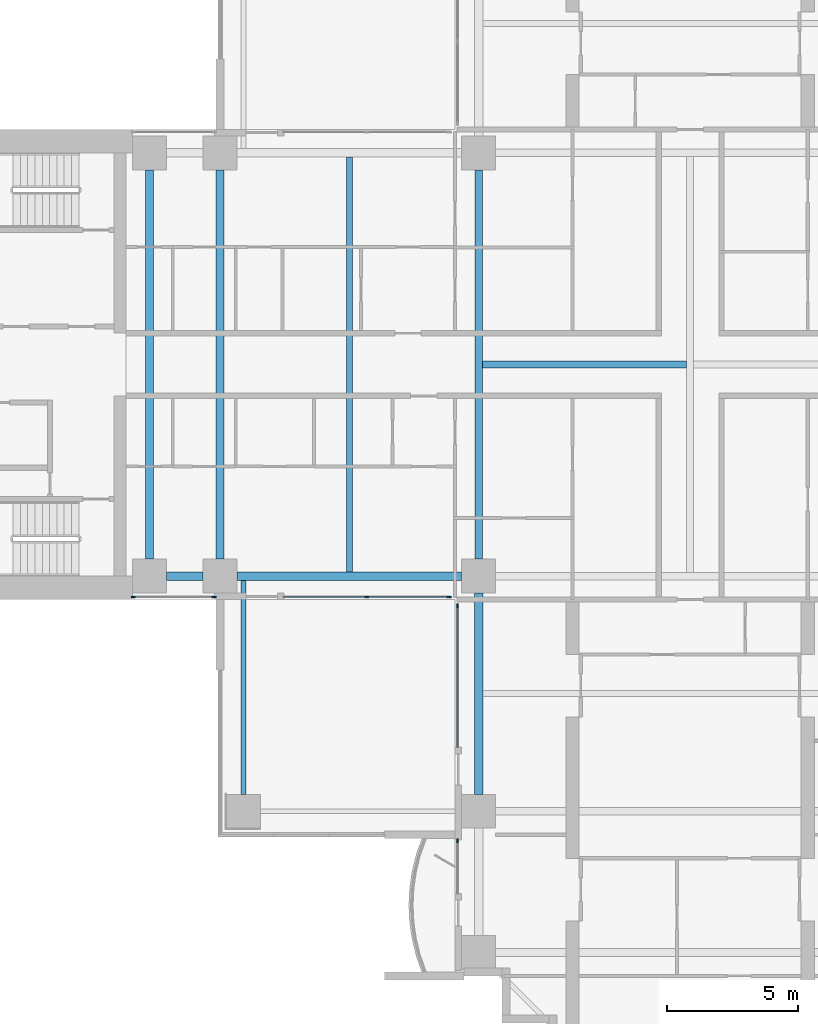
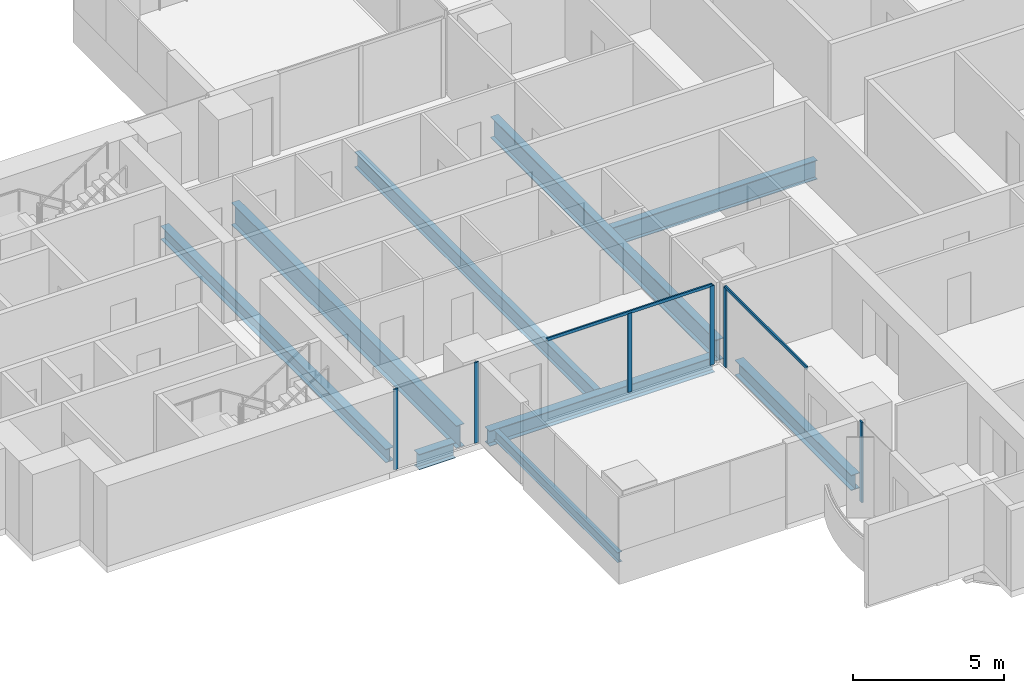
# One storey, part 2 of 20: 9 beams, 8 members, 4 elements without a shape of their own.
"""IFC4 building model written with IfcOpenShell, lengths in metres."""

from ifc_helpers import new_model, si_unit, direction, frame, origin, origin_2d, place, context, subcontext, project, spatial, rectangle, i_section, extrude, material, material_profile, profile_set, type_object, element, aggregate, save


model = new_model("IFC4")

# Units and contexts
model_context = context("Model", 3, precision=1e-05, world=origin(), true_north=direction((0.0, 1.0)))
body_context = subcontext(model_context, "Body", "Model", "MODEL_VIEW")
ifc_project = project(units=[si_unit("LENGTHUNIT", "METRE"), si_unit("AREAUNIT", "SQUARE_METRE"), si_unit("VOLUMEUNIT", "CUBIC_METRE"), si_unit("PLANEANGLEUNIT", "RADIAN"), si_unit("MASSUNIT", "GRAM", prefix="KILO")], contexts=[model_context])

# Site, building, storey
site_placement = place(None, origin())
site = spatial("IfcSite", under=ifc_project, at=site_placement, CompositionType="ELEMENT")
building_placement = place(site_placement, origin())
building = spatial("IfcBuilding", under=site, at=building_placement, Name="Perihelion Cross Residences", CompositionType="ELEMENT")
storey_placement = place(building_placement, frame((0.0, 0.0, 68.0)))
storey = spatial("IfcBuildingStorey", under=building, at=storey_placement, Name="L14", CompositionType="ELEMENT", Elevation=68.0)

# Curtain wall, members
ifc_material_1 = material(Name="Bronze anodised aluminium, tinted glazing", Category="aluminium")
curtain_wall_type = type_object("IfcCurtainWallType", Name="CW1", PredefinedType="NOTDEFINED", material=ifc_material_1)
curtain_wall_1_placement = place(storey_placement, origin())
curtain_wall_1 = element("IfcCurtainWall", 1, at=curtain_wall_1_placement, inside=storey, type_object=curtain_wall_type, Name="Curtain wall CW1 L14 west side south bay 1", PredefinedType="NOTDEFINED")
ifc_material_2 = material(Name="Bronze anodised aluminium", Category="aluminium")
ifc_material_profile_1 = material_profile(ifc_material_2, rectangle(XDim=0.06005859375, YDim=0.159912109375, at=origin_2d()), Name="CW1 mullion")
ifc_profile_set_1 = profile_set([ifc_material_profile_1], Name="Bronze anodised aluminium")
member_type_1 = type_object("IfcMemberType", Name="CW1 mullion", PredefinedType="MULLION", material=ifc_profile_set_1)
member_1_placement = place(storey_placement, frame((-21.320068359375, -8.89990234375, 0.0), z_axis=(0.0, 0.0, 1.0), x_axis=(0.0, 1.0, 0.0)))
member_1 = element("IfcMember", 2, at=member_1_placement, type_object=member_type_1, Name="CW1 mullion 1", PredefinedType="MULLION", context=body_context, shape_type="SweptSolid", body=[
    extrude(rectangle(XDim=0.06005859375, YDim=0.159912109375, at=origin_2d()), origin(), (0.0, 0.0, 1.0), 3.25),
])
member_2_placement = place(storey_placement, frame((-18.22998046875, -8.89990234375, 0.0), z_axis=(0.0, 0.0, 1.0), x_axis=(0.0, 1.0, 0.0)))
member_2 = element("IfcMember", 3, at=member_2_placement, type_object=member_type_1, Name="CW1 mullion 2", PredefinedType="MULLION", context=body_context, shape_type="SweptSolid", body=[
    extrude(rectangle(XDim=0.06005859375, YDim=0.159912109375, at=origin_2d()), origin(), (0.0, 0.0, 1.0), 3.25),
])
aggregate(curtain_wall_1, [member_1, member_2])

curtain_wall_2_placement = place(storey_placement, origin())
curtain_wall_2 = element("IfcCurtainWall", 4, at=curtain_wall_2_placement, inside=storey, type_object=curtain_wall_type, Name="Curtain wall CW1 L14 west side south bay 2", PredefinedType="NOTDEFINED")
member_3_placement = place(storey_placement, frame((-12.375, -8.89990234375, 0.0), z_axis=(0.0, 0.0, 1.0), x_axis=(0.0, 1.0, 0.0)))
member_3 = element("IfcMember", 5, at=member_3_placement, type_object=member_type_1, Name="CW1 mullion 2", PredefinedType="MULLION", context=body_context, shape_type="SweptSolid", body=[
    extrude(rectangle(XDim=0.06005859375, YDim=0.159912109375, at=origin_2d()), origin(), (0.0, 0.0, 1.0), 3.18994140625),
])
member_4_placement = place(storey_placement, frame((-9.22998046875, -8.89990234375, 0.0), z_axis=(0.0, 0.0, 1.0), x_axis=(0.0, 1.0, 0.0)))
member_4 = element("IfcMember", 6, at=member_4_placement, type_object=member_type_1, Name="CW1 mullion 3", PredefinedType="MULLION", context=body_context, shape_type="SweptSolid", body=[
    extrude(rectangle(XDim=0.06005859375, YDim=0.159912109375, at=origin_2d()), origin(), (0.0, 0.0, 1.0), 3.18994140625),
])

# Curtain wall, member
curtain_wall_3_placement = place(storey_placement, origin())
curtain_wall_3 = element("IfcCurtainWall", 7, at=curtain_wall_3_placement, inside=storey, type_object=curtain_wall_type, Name="Curtain wall CW1 L14 south side west bay 1", PredefinedType="NOTDEFINED")
member_5_placement = place(storey_placement, frame((-8.89990234375, -9.22998046875, 0.0), z_axis=(0.0, 0.0, 1.0), x_axis=(1.0, 0.0, 0.0)))
member_5 = element("IfcMember", 8, at=member_5_placement, type_object=member_type_1, Name="CW1 mullion 1", PredefinedType="MULLION", context=body_context, shape_type="SweptSolid", body=[
    extrude(rectangle(XDim=0.06005859375, YDim=0.159912109375, at=origin_2d()), origin(), (0.0, 0.0, 1.0), 3.18994140625),
])

curtain_wall_4_placement = place(storey_placement, origin())
curtain_wall_4 = element("IfcCurtainWall", 9, at=curtain_wall_4_placement, inside=storey, type_object=curtain_wall_type, Name="Curtain wall CW1 L14 south side west bay 2", PredefinedType="NOTDEFINED")
member_6_placement = place(storey_placement, frame((-8.89990234375, -18.22998046875, 0.0), z_axis=(0.0, 0.0, 1.0), x_axis=(1.0, 0.0, 0.0)))
member_6 = element("IfcMember", 10, at=member_6_placement, type_object=member_type_1, Name="CW1 mullion 1", PredefinedType="MULLION", context=body_context, shape_type="SweptSolid", body=[
    extrude(rectangle(XDim=0.06005859375, YDim=0.159912109375, at=origin_2d()), origin(), (0.0, 0.0, 1.0), 3.25),
])
aggregate(curtain_wall_4, [member_6])

# Member
ifc_material_3 = material(Name="Bronze anodised aluminium", Category="aluminium")
ifc_material_profile_2 = material_profile(ifc_material_3, rectangle(XDim=0.06005859375, YDim=0.1201171875, at=origin_2d()), Name="CW1 transom")
ifc_profile_set_2 = profile_set([ifc_material_profile_2], Name="Bronze anodised aluminium")
member_type_2 = type_object("IfcMemberType", Name="CW1 transom", PredefinedType="USERDEFINED", material=ifc_profile_set_2)
member_7_placement = place(storey_placement, frame((-15.550048828125, -8.89990234375, 3.219970703125), z_axis=(1.0, 0.0, 0.0), x_axis=(0.0, 1.0, 0.0)))
member_7 = element("IfcMember", 11, at=member_7_placement, type_object=member_type_2, Name="CW1 head transom", ObjectType="TRANSOM", PredefinedType="USERDEFINED", context=body_context, shape_type="SweptSolid", body=[
    extrude(rectangle(XDim=0.06005859375, YDim=0.1201171875, at=origin_2d()), origin(), (0.0, 0.0, 1.0), 6.320068359375),
])

aggregate(curtain_wall_2, [member_3, member_4, member_7])

member_8_placement = place(storey_placement, frame((-8.89990234375, -9.22998046875, 3.219970703125), z_axis=(0.0, -1.0, 0.0), x_axis=(1.0, 0.0, 0.0)))
member_8 = element("IfcMember", 12, at=member_8_placement, type_object=member_type_2, Name="CW1 head transom", ObjectType="TRANSOM", PredefinedType="USERDEFINED", context=body_context, shape_type="SweptSolid", body=[
    extrude(rectangle(XDim=0.06005859375, YDim=0.1201171875, at=origin_2d()), origin(), (0.0, 0.0, 1.0), 5.419921875),
])

aggregate(curtain_wall_3, [member_5, member_8])

# Beams
ifc_material_4 = material(Name="Steel S355", Category="steel")
ifc_material_profile_3 = material_profile(ifc_material_4, i_section(OverallWidth=0.177978515625, OverallDepth=0.406005859375, WebThickness=0.0078125, FlangeThickness=0.0126953125, at=origin_2d()), Name="W410x60")
ifc_profile_set_3 = profile_set([ifc_material_profile_3], Name="Steel S355")
beam_type_1 = type_object("IfcBeamType", Name="Core edge beam W410x60", PredefinedType="BEAM", material=ifc_profile_set_3)
beam_1_placement = place(storey_placement, frame((-17.10009765625, -8.262451171875, -0.452880859375), z_axis=(0.0, -1.0, 0.0), x_axis=(1.0, 0.0, 0.0)))
element("IfcBeam", 13, at=beam_1_placement, inside=storey, type_object=beam_type_1, Name="Core edge beam TB2 L14 corner no. 1", PredefinedType="BEAM", context=body_context, shape_type="SweptSolid", body=[
    extrude(i_section(OverallWidth=0.177978515625, OverallDepth=0.406005859375, WebThickness=0.0078125, FlangeThickness=0.0126953125, at=origin_2d()), origin(), (0.0, 0.0, 1.0), 8.1875),
])
ifc_material_5 = material(Name="Steel S355", Category="steel")
ifc_material_profile_4 = material_profile(ifc_material_5, i_section(OverallWidth=0.31201171875, OverallDepth=0.5439453125, WebThickness=0.0126953125, FlangeThickness=0.020263671875, at=origin_2d()), Name="W530x150")
ifc_profile_set_4 = profile_set([ifc_material_profile_4], Name="Steel S355")
beam_type_2 = type_object("IfcBeamType", Name="Core edge beam W530x150", PredefinedType="BEAM", material=ifc_profile_set_4)
beam_2_placement = place(storey_placement, frame((-20.699951171875, -7.449951171875, -0.52197265625), z_axis=(0.0, 1.0, 0.0), x_axis=(-1.0, 0.0, 0.0)))
element("IfcBeam", 14, at=beam_2_placement, inside=storey, type_object=beam_type_2, Name="Core edge beam TB4 L14 no. 1", PredefinedType="BEAM", context=body_context, shape_type="SweptSolid", body=[
    extrude(i_section(OverallWidth=0.31201171875, OverallDepth=0.5439453125, WebThickness=0.0126953125, FlangeThickness=0.020263671875, at=origin_2d()), origin(), (0.0, 0.0, 1.0), 14.89990234375),
])
ifc_material_6 = material(Name="Steel S355", Category="steel")
ifc_material_profile_5 = material_profile(ifc_material_6, i_section(OverallWidth=0.324951171875, OverallDepth=0.616943359375, WebThickness=0.013916015625, FlangeThickness=0.021484375, at=origin_2d()), Name="W610x174")
ifc_profile_set_5 = profile_set([ifc_material_profile_5], Name="Steel S355")
beam_type_3 = type_object("IfcBeamType", Name="Edge beam W610x174", PredefinedType="SPANDREL", material=ifc_profile_set_5)
beam_3_placement = place(storey_placement, frame((-20.050048828125, -8.10009765625, -0.55859375), z_axis=(1.0, 0.0, 0.0), x_axis=(0.0, 1.0, 0.0)))
element("IfcBeam", 15, at=beam_3_placement, inside=storey, type_object=beam_type_3, Name="Edge beam SB2 L14 no. 3", PredefinedType="SPANDREL", context=body_context, shape_type="SweptSolid", body=[
    extrude(i_section(OverallWidth=0.324951171875, OverallDepth=0.616943359375, WebThickness=0.013916015625, FlangeThickness=0.021484375, at=origin_2d()), origin(), (0.0, 0.0, 1.0), 1.400146484375),
])
beam_4_placement = place(storey_placement, frame((-17.35009765625, -8.10009765625, -0.55859375), z_axis=(1.0, 0.0, 0.0), x_axis=(0.0, 1.0, 0.0)))
element("IfcBeam", 16, at=beam_4_placement, inside=storey, type_object=beam_type_3, Name="Edge beam SB2 L14 no. 1", PredefinedType="SPANDREL", context=body_context, shape_type="SweptSolid", body=[
    extrude(i_section(OverallWidth=0.324951171875, OverallDepth=0.616943359375, WebThickness=0.013916015625, FlangeThickness=0.021484375, at=origin_2d()), origin(), (0.0, 0.0, 1.0), 8.60009765625),
])
beam_5_placement = place(storey_placement, frame((-8.10009765625, -8.75, -0.55859375), z_axis=(0.0, -1.0, 0.0), x_axis=(1.0, 0.0, 0.0)))
element("IfcBeam", 17, at=beam_5_placement, inside=storey, type_object=beam_type_3, Name="Edge beam SB2 L14 no. 6", PredefinedType="SPANDREL", context=body_context, shape_type="SweptSolid", body=[
    extrude(i_section(OverallWidth=0.324951171875, OverallDepth=0.616943359375, WebThickness=0.013916015625, FlangeThickness=0.021484375, at=origin_2d()), origin(), (0.0, 0.0, 1.0), 7.699951171875),
])
ifc_material_7 = material(Name="Steel S355", Category="steel")
ifc_material_profile_6 = material_profile(ifc_material_7, i_section(OverallWidth=0.304931640625, OverallDepth=0.904052734375, WebThickness=0.01513671875, FlangeThickness=0.02001953125, at=origin_2d()), Name="W920x201")
ifc_profile_set_6 = profile_set([ifc_material_profile_6], Name="Steel S355")
beam_type_4 = type_object("IfcBeamType", Name="Floor girder W920x201", PredefinedType="BEAM", material=ifc_profile_set_6)
beam_6_placement = place(storey_placement, frame((-18.0, -7.449951171875, -0.701904296875), z_axis=(0.0, 1.0, 0.0), x_axis=(-1.0, 0.0, 0.0)))
element("IfcBeam", 18, at=beam_6_placement, inside=storey, type_object=beam_type_4, Name="Girder G2 L14 no. 1", PredefinedType="BEAM", context=body_context, shape_type="SweptSolid", body=[
    extrude(i_section(OverallWidth=0.304931640625, OverallDepth=0.904052734375, WebThickness=0.01513671875, FlangeThickness=0.02001953125, at=origin_2d()), origin(), (0.0, 0.0, 1.0), 14.89990234375),
])
ifc_material_8 = material(Name="Steel S355", Category="steel")
ifc_material_profile_7 = material_profile(ifc_material_8, i_section(OverallWidth=0.22900390625, OverallDepth=0.612060546875, WebThickness=0.011962890625, FlangeThickness=0.01953125, at=origin_2d()), Name="W610x125")
ifc_profile_set_7 = profile_set([ifc_material_profile_7], Name="Steel S355")
beam_type_5 = type_object("IfcBeamType", Name="Floor joist W610x125", PredefinedType="JOIST", material=ifc_profile_set_7)
beam_7_placement = place(storey_placement, frame((-13.050048828125, -7.9375, -0.555908203125), z_axis=(0.0, 1.0, 0.0), x_axis=(-1.0, 0.0, 0.0)))
element("IfcBeam", 19, at=beam_7_placement, inside=storey, type_object=beam_type_5, Name="Joist J3 L14 no. 1", PredefinedType="JOIST", context=body_context, shape_type="SweptSolid", body=[
    extrude(i_section(OverallWidth=0.22900390625, OverallDepth=0.612060546875, WebThickness=0.011962890625, FlangeThickness=0.01953125, at=origin_2d()), origin(), (0.0, 0.0, 1.0), 15.875),
])
ifc_material_9 = material(Name="Steel S355", Category="steel")
ifc_material_profile_8 = material_profile(ifc_material_9, i_section(OverallWidth=0.26708984375, OverallDepth=0.77001953125, WebThickness=0.015625, FlangeThickness=0.025390625, at=origin_2d()), Name="W760x196")
ifc_profile_set_8 = profile_set([ifc_material_profile_8], Name="Steel S355")
beam_type_6 = type_object("IfcBeamType", Name="Hub cross beam W760x196", PredefinedType="BEAM", material=ifc_profile_set_8)
beam_8_placement = place(storey_placement, frame((-7.9541015625, 0.0, -0.635009765625), z_axis=(1.0, 0.0, 0.0), x_axis=(0.0, 1.0, 0.0)))
element("IfcBeam", 20, at=beam_8_placement, inside=storey, type_object=beam_type_6, Name="Hub cross beam XB2 L14 1 no. 1", PredefinedType="BEAM", context=body_context, shape_type="SweptSolid", body=[
    extrude(i_section(OverallWidth=0.26708984375, OverallDepth=0.77001953125, WebThickness=0.015625, FlangeThickness=0.025390625, at=origin_2d()), origin(), (0.0, 0.0, 1.0), 7.820556640625),
])
ifc_material_10 = material(Name="Steel S355", Category="steel")
ifc_material_profile_9 = material_profile(ifc_material_10, i_section(OverallWidth=0.2919921875, OverallDepth=0.85888671875, WebThickness=0.01708984375, FlangeThickness=0.031005859375, at=origin_2d()), Name="W840x251")
ifc_profile_set_9 = profile_set([ifc_material_profile_9], Name="Steel S355")
beam_type_7 = type_object("IfcBeamType", Name="Hub ring girder W840x251", PredefinedType="BEAM", material=ifc_profile_set_9)
beam_9_placement = place(storey_placement, frame((-8.10009765625, 7.449951171875, -0.679443359375), z_axis=(0.0, -1.0, 0.0), x_axis=(1.0, 0.0, 0.0)))
element("IfcBeam", 21, at=beam_9_placement, inside=storey, type_object=beam_type_7, Name="Hub ring girder RG2 L14 no. 2", PredefinedType="BEAM", context=body_context, shape_type="SweptSolid", body=[
    extrude(i_section(OverallWidth=0.2919921875, OverallDepth=0.85888671875, WebThickness=0.01708984375, FlangeThickness=0.031005859375, at=origin_2d()), origin(), (0.0, 0.0, 1.0), 14.89990234375),
])

save(model, "model.ifc")
